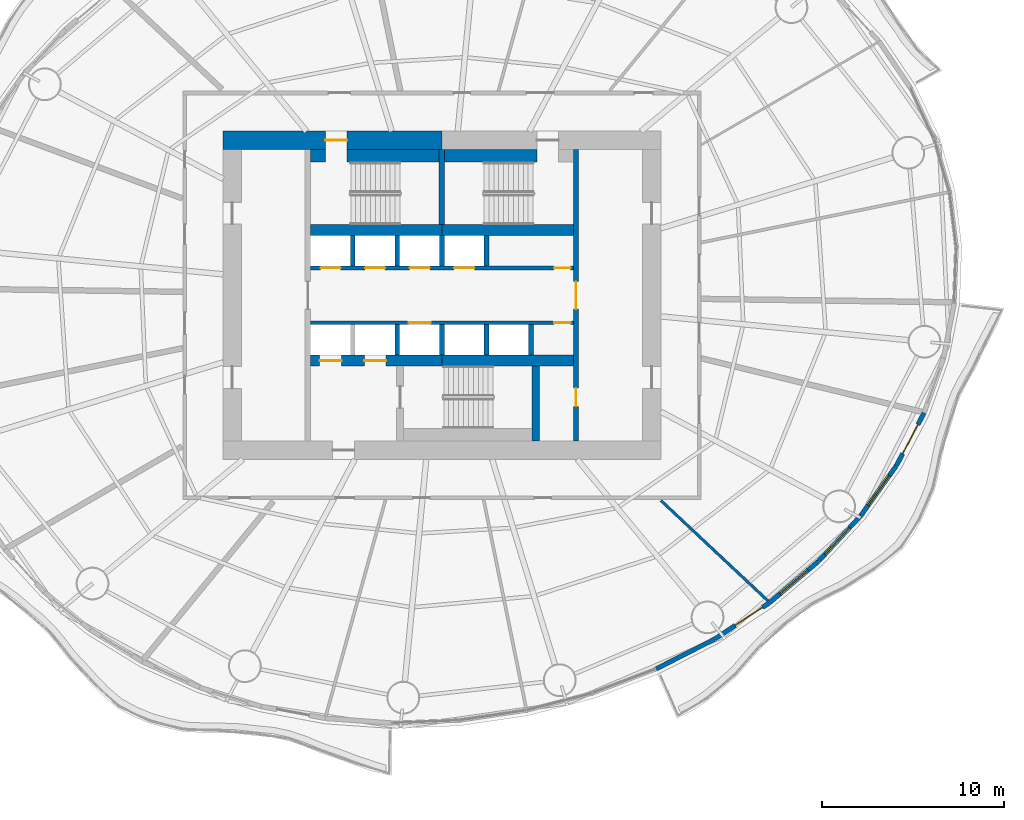
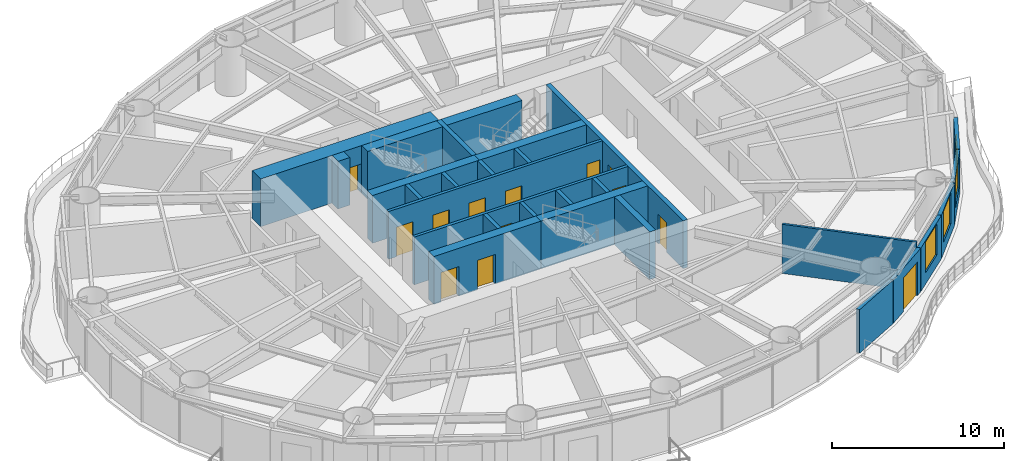
# One storey, part 9 of 16: 28 walls, 14 doors, 3 windows, 17 openings.
"""IFC4 building model written with IfcOpenShell, lengths in metres."""

from ifc_helpers import new_model, si_unit, direction, frame, frame_2d, origin, place, context, subcontext, project, spatial, rectangle, extrude, material, layer, layer_set, type_object, element, fill, save


model = new_model("IFC4")

# Units and contexts
model_context = context("Model", 3, precision=1e-05, world=origin(), true_north=direction((0.0, 1.0)))
body_context = subcontext(model_context, "Body", "Model", "MODEL_VIEW")
ifc_project = project(units=[si_unit("LENGTHUNIT", "METRE"), si_unit("AREAUNIT", "SQUARE_METRE"), si_unit("VOLUMEUNIT", "CUBIC_METRE"), si_unit("PLANEANGLEUNIT", "RADIAN"), si_unit("MASSUNIT", "GRAM", prefix="KILO")], contexts=[model_context])

# Site, building, storey
site_placement = place(None, origin())
site = spatial("IfcSite", under=ifc_project, at=site_placement, CompositionType="ELEMENT")
building_placement = place(site_placement, origin())
building = spatial("IfcBuilding", under=site, at=building_placement, Name="Vermilion Reach Broadcast Tower", CompositionType="ELEMENT")
storey_placement = place(building_placement, frame((0.0, 0.0, 80.39990234375)))
storey = spatial("IfcBuildingStorey", under=building, at=storey_placement, Name="L17", CompositionType="ELEMENT", Elevation=80.39990234375)

# Wall, openings, doors
ifc_material_1 = material(Name="Concrete C70", Category="concrete")
ifc_layer_1 = layer(ifc_material_1, 0.300048828125)
ifc_layer_set_1 = layer_set([ifc_layer_1], Name="Core inner wall 300 mm Concrete C70")
wall_type_1 = type_object("IfcWallType", Name="Core inner wall 300 mm Concrete C70", PredefinedType="SHEAR", material=ifc_layer_set_1)
wall_1_placement = place(storey_placement, frame((1.35009765625, -8.0, 0.0), z_axis=(0.0, 0.0, 1.0), x_axis=(0.0, 1.0, 0.0)))
wall_1 = element("IfcWall", 1, at=wall_1_placement, inside=storey, type_object=wall_type_1, Name="L17 core wall ewE", PredefinedType="SHEAR", context=body_context, shape_type="SweptSolid", body=[
    extrude(rectangle(XDim=16.0, YDim=0.300048828125, at=frame_2d((8.0, 0.0))), origin(), (0.0, 0.0, 1.0), 3.400146484375),
])
opening_1_placement = place(wall_1_placement, frame((1.909912109375, 0.0, 0.0)))
opening_1 = element("IfcOpeningElement", 2, at=opening_1_placement, cuts=wall_1, Name="Opening D05", PredefinedType="OPENING", context=body_context, shape_type="SweptSolid", body=[
    extrude(rectangle(XDim=1.0, YDim=2.10009765625, at=frame_2d((0.5, 1.050048828125))), frame((0.0, 0.159912109375, 0.0), z_axis=(0.0, -1.0, 0.0), x_axis=(1.0, 0.0, 0.0)), (0.0, 0.0, 1.0), 0.320068359375),
])
opening_2_placement = place(wall_1_placement, frame((7.25, 0.0, 0.0)))
opening_2 = element("IfcOpeningElement", 3, at=opening_2_placement, cuts=wall_1, Name="Opening D04", PredefinedType="OPENING", context=body_context, shape_type="SweptSolid", body=[
    extrude(rectangle(XDim=1.5, YDim=2.10009765625, at=frame_2d((0.75, 1.050048828125))), frame((0.0, 0.159912109375, 0.0), z_axis=(0.0, -1.0, 0.0), x_axis=(1.0, 0.0, 0.0)), (0.0, 0.0, 1.0), 0.320068359375),
])
ifc_material_2 = material(Name="Painted steel fire door", Category="steel")
door_type_1 = type_object("IfcDoorType", Name="Lift lobby door 1500 x 2100", OperationType="DOUBLE_DOOR_SINGLE_SWING", PredefinedType="NOTDEFINED", material=ifc_material_2)
door_1_placement = place(opening_2_placement, origin())
door_1 = element("IfcDoor", 4, at=door_1_placement, inside=storey, type_object=door_type_1, Name="L17 band door BE", OperationType="DOUBLE_DOOR_SINGLE_SWING", OverallHeight=2.10009765625, OverallWidth=1.5, PredefinedType="NOTDEFINED", context=body_context, shape_type="SweptSolid", body=[
    extrude(rectangle(XDim=1.5, YDim=2.10009765625, at=frame_2d((0.75, 1.050048828125))), frame((0.0, 0.02490234375, 0.0), z_axis=(0.0, -1.0, 0.0), x_axis=(1.0, 0.0, 0.0)), (0.0, 0.0, 1.0), 0.050048828125),
])
fill(opening_2, door_1)
ifc_material_3 = material(Name="Timber door", Category="wood")
door_type_2 = type_object("IfcDoorType", Name="Room door 1000 x 2100", OperationType="NOTDEFINED", PredefinedType="NOTDEFINED", material=ifc_material_3)
door_2_placement = place(opening_1_placement, origin())
door_2 = element("IfcDoor", 5, at=door_2_placement, inside=storey, type_object=door_type_2, Name="L17 door SER", OperationType="SINGLE_SWING_LEFT", OverallHeight=2.10009765625, OverallWidth=1.0, PredefinedType="NOTDEFINED", context=body_context, shape_type="SweptSolid", body=[
    extrude(rectangle(XDim=1.0, YDim=2.10009765625, at=frame_2d((0.5, 1.050048828125))), frame((0.0, 0.02490234375, 0.0), z_axis=(0.0, -1.0, 0.0), x_axis=(1.0, 0.0, 0.0)), (0.0, 0.0, 1.0), 0.050048828125),
])
fill(opening_1, door_2)

# Walls
wall_2_placement = place(storey_placement, frame((-6.0, 3.8798828125, 0.0), z_axis=(0.0, 0.0, 1.0), x_axis=(0.0, 1.0, 0.0)))
element("IfcWall", 6, at=wall_2_placement, inside=storey, type_object=wall_type_1, Name="L17 core wall wc", PredefinedType="SHEAR", context=body_context, shape_type="SweptSolid", body=[
    extrude(rectangle(XDim=4.1201171875, YDim=0.300048828125, at=frame_2d((2.06005859375, 0.0))), origin(), (0.0, 0.0, 1.0), 3.400146484375),
])
ifc_material_4 = material(Name="Concrete C70", Category="concrete")
ifc_layer_2 = layer(ifc_material_4, 0.39990234375)
ifc_layer_set_2 = layer_set([ifc_layer_2], Name="Core inner wall 400 mm Concrete C70")
wall_type_2 = type_object("IfcWallType", Name="Core inner wall 400 mm Concrete C70", PredefinedType="SHEAR", material=ifc_layer_set_2)
wall_3_placement = place(storey_placement, frame((-0.85009765625, -3.8798828125, 0.0), z_axis=(0.0, 0.0, 1.0), x_axis=(0.0, -1.0, 0.0)))
element("IfcWall", 7, at=wall_3_placement, inside=storey, type_object=wall_type_2, Name="L17 core wall wb", PredefinedType="SHEAR", context=body_context, shape_type="SweptSolid", body=[
    extrude(rectangle(XDim=4.1201171875, YDim=0.39990234375, at=frame_2d((2.06005859375, 0.0))), origin(), (0.0, 0.0, 1.0), 3.400146484375),
])
ifc_material_5 = material(Name="Concrete C70", Category="concrete")
ifc_layer_3 = layer(ifc_material_5, 0.60009765625)
ifc_layer_set_3 = layer_set([ifc_layer_3], Name="Core inner wall 600 mm Concrete C70")
wall_type_3 = type_object("IfcWallType", Name="Core inner wall 600 mm Concrete C70", PredefinedType="SHEAR", material=ifc_layer_set_3)
for number, where, z_axis, x_axis, name in (
    (8, (-13.199951171875, 3.580078125, 0.0), (0.0, 0.0, 1.0), (1.0, 0.0, 0.0), "L17 core wall winW"),
    (9, (-6.0, 3.580078125, 0.0), (0.0, 0.0, 1.0), (1.0, 0.0, 0.0), "L17 core wall winE"),
):
    element("IfcWall", number, at=place(storey_placement, frame(where, z_axis=z_axis, x_axis=x_axis)), inside=storey, type_object=wall_type_3, Name=name, PredefinedType="SHEAR", context=body_context, shape_type="SweptSolid", body=[
        extrude(rectangle(XDim=7.199951171875, YDim=0.60009765625, at=frame_2d((3.60009765625, 0.0))), origin(), (0.0, 0.0, 1.0), 3.400146484375),
    ])

# Wall, openings, doors
wall_4_placement = place(storey_placement, frame((-13.199951171875, -3.580078125, 0.0), z_axis=(0.0, 0.0, 1.0), x_axis=(1.0, 0.0, 0.0)))
wall_4 = element("IfcWall", 10, at=wall_4_placement, inside=storey, type_object=wall_type_3, Name="L17 core wall wisW", PredefinedType="SHEAR", context=body_context, shape_type="SweptSolid", body=[
    extrude(rectangle(XDim=7.199951171875, YDim=0.60009765625, at=frame_2d((3.60009765625, 0.0))), origin(), (0.0, 0.0, 1.0), 3.400146484375),
])
opening_3_placement = place(wall_4_placement, frame((0.495849609375, 0.0, 0.0)))
opening_3 = element("IfcOpeningElement", 11, at=opening_3_placement, cuts=wall_4, Name="Opening LD1", PredefinedType="OPENING", context=body_context, shape_type="SweptSolid", body=[
    extrude(rectangle(XDim=1.199951171875, YDim=2.10009765625, at=frame_2d((0.60009765625, 1.050048828125))), frame((0.0, 0.31005859375, 0.0), z_axis=(0.0, -1.0, 0.0), x_axis=(1.0, 0.0, 0.0)), (0.0, 0.0, 1.0), 0.6201171875),
])
opening_4_placement = place(wall_4_placement, frame((2.9375, 0.0, 0.0)))
opening_4 = element("IfcOpeningElement", 12, at=opening_4_placement, cuts=wall_4, Name="Opening LD1", PredefinedType="OPENING", context=body_context, shape_type="SweptSolid", body=[
    extrude(rectangle(XDim=1.199951171875, YDim=2.10009765625, at=frame_2d((0.60009765625, 1.050048828125))), frame((0.0, 0.31005859375, 0.0), z_axis=(0.0, -1.0, 0.0), x_axis=(1.0, 0.0, 0.0)), (0.0, 0.0, 1.0), 0.6201171875),
])
ifc_material_6 = material(Name="Stainless steel", Category="steel")
door_type_3 = type_object("IfcDoorType", Name="Landing door 1200 x 2100", OperationType="DOUBLE_DOOR_SLIDING", PredefinedType="NOTDEFINED", material=ifc_material_6)
door_3_placement = place(opening_3_placement, origin())
door_3 = element("IfcDoor", 13, at=door_3_placement, inside=storey, type_object=door_type_3, Name="L17 landing door FF1", OperationType="DOUBLE_DOOR_SLIDING", OverallHeight=2.10009765625, OverallWidth=1.199951171875, PredefinedType="NOTDEFINED", context=body_context, shape_type="SweptSolid", body=[
    extrude(rectangle(XDim=1.199951171875, YDim=2.10009765625, at=frame_2d((0.60009765625, 1.050048828125))), frame((0.0, 0.02490234375, 0.0), z_axis=(0.0, -1.0, 0.0), x_axis=(1.0, 0.0, 0.0)), (0.0, 0.0, 1.0), 0.050048828125),
])
fill(opening_3, door_3)
door_4_placement = place(opening_4_placement, origin())
door_4 = element("IfcDoor", 14, at=door_4_placement, inside=storey, type_object=door_type_3, Name="L17 landing door FF2", OperationType="DOUBLE_DOOR_SLIDING", OverallHeight=2.10009765625, OverallWidth=1.199951171875, PredefinedType="NOTDEFINED", context=body_context, shape_type="SweptSolid", body=[
    extrude(rectangle(XDim=1.199951171875, YDim=2.10009765625, at=frame_2d((0.60009765625, 1.050048828125))), frame((0.0, 0.02490234375, 0.0), z_axis=(0.0, -1.0, 0.0), x_axis=(1.0, 0.0, 0.0)), (0.0, 0.0, 1.0), 0.050048828125),
])
fill(opening_4, door_4)

# Wall
wall_5_placement = place(storey_placement, frame((-6.0, -3.580078125, 0.0), z_axis=(0.0, 0.0, 1.0), x_axis=(1.0, 0.0, 0.0)))
element("IfcWall", 15, at=wall_5_placement, inside=storey, type_object=wall_type_3, Name="L17 core wall wisE", PredefinedType="SHEAR", context=body_context, shape_type="SweptSolid", body=[
    extrude(rectangle(XDim=7.199951171875, YDim=0.60009765625, at=frame_2d((3.60009765625, 0.0))), origin(), (0.0, 0.0, 1.0), 3.400146484375),
])

# Wall, opening, door
ifc_material_7 = material(Name="Concrete C70", Category="concrete")
ifc_layer_4 = layer(ifc_material_7, 1.0)
ifc_layer_set_4 = layer_set([ifc_layer_4], Name="Core outer wall 1000 mm Concrete C70")
wall_type_4 = type_object("IfcWallType", Name="Core outer wall 1000 mm Concrete C70", PredefinedType="SHEAR", material=ifc_layer_set_4)
wall_6_placement = place(storey_placement, frame((-6.0, 8.5, 0.0), z_axis=(0.0, 0.0, 1.0), x_axis=(-1.0, 0.0, 0.0)))
wall_6 = element("IfcWall", 16, at=wall_6_placement, inside=storey, type_object=wall_type_4, Name="L17 core wall onW", PredefinedType="SHEAR", context=body_context, shape_type="SweptSolid", body=[
    extrude(rectangle(XDim=12.0, YDim=1.0, at=frame_2d((6.0, 0.0))), origin(), (0.0, 0.0, 1.0), 3.400146484375),
])
opening_5_placement = place(wall_6_placement, frame((5.199951171875, 0.0, 0.0)))
opening_5 = element("IfcOpeningElement", 17, at=opening_5_placement, cuts=wall_6, Name="Opening D01", PredefinedType="OPENING", context=body_context, shape_type="SweptSolid", body=[
    extrude(rectangle(XDim=1.199951171875, YDim=2.10009765625, at=frame_2d((0.60009765625, 1.050048828125))), frame((0.0, 0.510009765625, 0.0), z_axis=(0.0, -1.0, 0.0), x_axis=(1.0, 0.0, 0.0)), (0.0, 0.0, 1.0), 1.02001953125),
])
ifc_material_8 = material(Name="Painted steel fire door", Category="steel")
door_type_4 = type_object("IfcDoorType", Name="Stair door 1200 x 2100", OperationType="DOUBLE_DOOR_SINGLE_SWING", PredefinedType="NOTDEFINED", material=ifc_material_8)
door_5_placement = place(opening_5_placement, origin())
door_5 = element("IfcDoor", 18, at=door_5_placement, inside=storey, type_object=door_type_4, Name="L17 stair door ST1", OperationType="DOUBLE_DOOR_SINGLE_SWING", OverallHeight=2.10009765625, OverallWidth=1.199951171875, PredefinedType="NOTDEFINED", context=body_context, shape_type="SweptSolid", body=[
    extrude(rectangle(XDim=1.199951171875, YDim=2.10009765625, at=frame_2d((0.60009765625, 1.050048828125))), frame((0.0, 0.02490234375, 0.0), z_axis=(0.0, -1.0, 0.0), x_axis=(1.0, 0.0, 0.0)), (0.0, 0.0, 1.0), 0.050048828125),
])
fill(opening_5, door_5)

# Wall, openings, doors
ifc_material_9 = material(Name="Concrete C50", Category="concrete")
ifc_layer_5 = layer(ifc_material_9, 0.199951171875)
ifc_layer_set_5 = layer_set([ifc_layer_5], Name="Core shaft wall 200 mm Concrete C50")
wall_type_5 = type_object("IfcWallType", Name="Core shaft wall 200 mm Concrete C50", PredefinedType="SHEAR", material=ifc_layer_set_5)
wall_7_placement = place(storey_placement, frame((-13.199951171875, 1.5, 0.0), z_axis=(0.0, 0.0, 1.0), x_axis=(1.0, 0.0, 0.0)))
wall_7 = element("IfcWall", 19, at=wall_7_placement, inside=storey, type_object=wall_type_5, Name="L17 core wall fn", PredefinedType="SHEAR", context=body_context, shape_type="SweptSolid", body=[
    extrude(rectangle(XDim=14.39990234375, YDim=0.199951171875, at=frame_2d((7.199951171875, 0.0))), origin(), (0.0, 0.0, 1.0), 3.400146484375),
])
opening_6_placement = place(wall_7_placement, frame((0.5458984375, 0.0, 0.0)))
opening_6 = element("IfcOpeningElement", 20, at=opening_6_placement, cuts=wall_7, Name="Opening LD2", PredefinedType="OPENING", context=body_context, shape_type="SweptSolid", body=[
    extrude(rectangle(XDim=1.10009765625, YDim=2.10009765625, at=frame_2d((0.550048828125, 1.050048828125))), frame((0.0, 0.10986328125, 0.0), z_axis=(0.0, -1.0, 0.0), x_axis=(1.0, 0.0, 0.0)), (0.0, 0.0, 1.0), 0.219970703125),
])
opening_7_placement = place(wall_7_placement, frame((2.987548828125, 0.0, 0.0)))
opening_7 = element("IfcOpeningElement", 21, at=opening_7_placement, cuts=wall_7, Name="Opening LD2", PredefinedType="OPENING", context=body_context, shape_type="SweptSolid", body=[
    extrude(rectangle(XDim=1.10009765625, YDim=2.10009765625, at=frame_2d((0.550048828125, 1.050048828125))), frame((0.0, 0.10986328125, 0.0), z_axis=(0.0, -1.0, 0.0), x_axis=(1.0, 0.0, 0.0)), (0.0, 0.0, 1.0), 0.219970703125),
])
opening_8_placement = place(wall_7_placement, frame((5.42919921875, 0.0, 0.0)))
opening_8 = element("IfcOpeningElement", 22, at=opening_8_placement, cuts=wall_7, Name="Opening LD2", PredefinedType="OPENING", context=body_context, shape_type="SweptSolid", body=[
    extrude(rectangle(XDim=1.10009765625, YDim=2.10009765625, at=frame_2d((0.550048828125, 1.050048828125))), frame((0.0, 0.10986328125, 0.0), z_axis=(0.0, -1.0, 0.0), x_axis=(1.0, 0.0, 0.0)), (0.0, 0.0, 1.0), 0.219970703125),
])
opening_9_placement = place(wall_7_placement, frame((7.870849609375, 0.0, 0.0)))
opening_9 = element("IfcOpeningElement", 23, at=opening_9_placement, cuts=wall_7, Name="Opening LD2", PredefinedType="OPENING", context=body_context, shape_type="SweptSolid", body=[
    extrude(rectangle(XDim=1.10009765625, YDim=2.10009765625, at=frame_2d((0.550048828125, 1.050048828125))), frame((0.0, 0.10986328125, 0.0), z_axis=(0.0, -1.0, 0.0), x_axis=(1.0, 0.0, 0.0)), (0.0, 0.0, 1.0), 0.219970703125),
])
opening_10_placement = place(wall_7_placement, frame((13.35009765625, 0.0, 0.0)))
opening_10 = element("IfcOpeningElement", 24, at=opening_10_placement, cuts=wall_7, Name="Opening D06", PredefinedType="OPENING", context=body_context, shape_type="SweptSolid", body=[
    extrude(rectangle(XDim=0.89990234375, YDim=2.10009765625, at=frame_2d((0.449951171875, 1.050048828125))), frame((0.0, 0.10986328125, 0.0), z_axis=(0.0, -1.0, 0.0), x_axis=(1.0, 0.0, 0.0)), (0.0, 0.0, 1.0), 0.219970703125),
])
ifc_material_10 = material(Name="Stainless steel", Category="steel")
door_type_5 = type_object("IfcDoorType", Name="Landing door 1100 x 2100", OperationType="DOUBLE_DOOR_SLIDING", PredefinedType="NOTDEFINED", material=ifc_material_10)
door_6_placement = place(opening_6_placement, origin())
door_6 = element("IfcDoor", 25, at=door_6_placement, inside=storey, type_object=door_type_5, Name="L17 landing door LR1", OperationType="DOUBLE_DOOR_SLIDING", OverallHeight=2.10009765625, OverallWidth=1.10009765625, PredefinedType="NOTDEFINED", context=body_context, shape_type="SweptSolid", body=[
    extrude(rectangle(XDim=1.10009765625, YDim=2.10009765625, at=frame_2d((0.550048828125, 1.050048828125))), frame((0.0, 0.02490234375, 0.0), z_axis=(0.0, -1.0, 0.0), x_axis=(1.0, 0.0, 0.0)), (0.0, 0.0, 1.0), 0.050048828125),
])
fill(opening_6, door_6)
door_7_placement = place(opening_7_placement, origin())
door_7 = element("IfcDoor", 26, at=door_7_placement, inside=storey, type_object=door_type_5, Name="L17 landing door LR2", OperationType="DOUBLE_DOOR_SLIDING", OverallHeight=2.10009765625, OverallWidth=1.10009765625, PredefinedType="NOTDEFINED", context=body_context, shape_type="SweptSolid", body=[
    extrude(rectangle(XDim=1.10009765625, YDim=2.10009765625, at=frame_2d((0.550048828125, 1.050048828125))), frame((0.0, 0.02490234375, 0.0), z_axis=(0.0, -1.0, 0.0), x_axis=(1.0, 0.0, 0.0)), (0.0, 0.0, 1.0), 0.050048828125),
])
fill(opening_7, door_7)
door_8_placement = place(opening_8_placement, origin())
door_8 = element("IfcDoor", 27, at=door_8_placement, inside=storey, type_object=door_type_5, Name="L17 landing door LR3", OperationType="DOUBLE_DOOR_SLIDING", OverallHeight=2.10009765625, OverallWidth=1.10009765625, PredefinedType="NOTDEFINED", context=body_context, shape_type="SweptSolid", body=[
    extrude(rectangle(XDim=1.10009765625, YDim=2.10009765625, at=frame_2d((0.550048828125, 1.050048828125))), frame((0.0, 0.02490234375, 0.0), z_axis=(0.0, -1.0, 0.0), x_axis=(1.0, 0.0, 0.0)), (0.0, 0.0, 1.0), 0.050048828125),
])
fill(opening_8, door_8)
door_9_placement = place(opening_9_placement, origin())
door_9 = element("IfcDoor", 28, at=door_9_placement, inside=storey, type_object=door_type_5, Name="L17 landing door LR4", OperationType="DOUBLE_DOOR_SLIDING", OverallHeight=2.10009765625, OverallWidth=1.10009765625, PredefinedType="NOTDEFINED", context=body_context, shape_type="SweptSolid", body=[
    extrude(rectangle(XDim=1.10009765625, YDim=2.10009765625, at=frame_2d((0.550048828125, 1.050048828125))), frame((0.0, 0.02490234375, 0.0), z_axis=(0.0, -1.0, 0.0), x_axis=(1.0, 0.0, 0.0)), (0.0, 0.0, 1.0), 0.050048828125),
])
fill(opening_9, door_9)
ifc_material_11 = material(Name="Timber door", Category="wood")
door_type_6 = type_object("IfcDoorType", Name="WC door 900 x 2100", OperationType="NOTDEFINED", PredefinedType="NOTDEFINED", material=ifc_material_11)
door_10_placement = place(opening_10_placement, origin())
door_10 = element("IfcDoor", 29, at=door_10_placement, inside=storey, type_object=door_type_6, Name="L17 door Female WC", OperationType="SINGLE_SWING_RIGHT", OverallHeight=2.10009765625, OverallWidth=0.89990234375, PredefinedType="NOTDEFINED", context=body_context, shape_type="SweptSolid", body=[
    extrude(rectangle(XDim=0.89990234375, YDim=2.10009765625, at=frame_2d((0.449951171875, 1.050048828125))), frame((0.0, 0.02490234375, 0.0), z_axis=(0.0, -1.0, 0.0), x_axis=(1.0, 0.0, 0.0)), (0.0, 0.0, 1.0), 0.050048828125),
])
fill(opening_10, door_10)

wall_8_placement = place(storey_placement, frame((1.199951171875, -1.5, 0.0), z_axis=(0.0, 0.0, 1.0), x_axis=(-1.0, 0.0, 0.0)))
wall_8 = element("IfcWall", 30, at=wall_8_placement, inside=storey, type_object=wall_type_5, Name="L17 core wall fs", PredefinedType="SHEAR", context=body_context, shape_type="SweptSolid", body=[
    extrude(rectangle(XDim=14.39990234375, YDim=0.199951171875, at=frame_2d((7.199951171875, 0.0))), origin(), (0.0, 0.0, 1.0), 3.400146484375),
])
opening_11_placement = place(wall_8_placement, frame((7.82080078125, 0.0, 0.0)))
opening_11 = element("IfcOpeningElement", 31, at=opening_11_placement, cuts=wall_8, Name="Opening LD1", PredefinedType="OPENING", context=body_context, shape_type="SweptSolid", body=[
    extrude(rectangle(XDim=1.199951171875, YDim=2.10009765625, at=frame_2d((0.60009765625, 1.050048828125))), frame((0.0, 0.10986328125, 0.0), z_axis=(0.0, -1.0, 0.0), x_axis=(1.0, 0.0, 0.0)), (0.0, 0.0, 1.0), 0.219970703125),
])
opening_12_placement = place(wall_8_placement, frame((0.14990234375, 0.0, 0.0)))
opening_12 = element("IfcOpeningElement", 32, at=opening_12_placement, cuts=wall_8, Name="Opening D06", PredefinedType="OPENING", context=body_context, shape_type="SweptSolid", body=[
    extrude(rectangle(XDim=0.89990234375, YDim=2.10009765625, at=frame_2d((0.449951171875, 1.050048828125))), frame((0.0, 0.10986328125, 0.0), z_axis=(0.0, -1.0, 0.0), x_axis=(1.0, 0.0, 0.0)), (0.0, 0.0, 1.0), 0.219970703125),
])
door_11_placement = place(opening_11_placement, origin())
door_11 = element("IfcDoor", 33, at=door_11_placement, inside=storey, type_object=door_type_3, Name="L17 landing door SV1", OperationType="DOUBLE_DOOR_SLIDING", OverallHeight=2.10009765625, OverallWidth=1.199951171875, PredefinedType="NOTDEFINED", context=body_context, shape_type="SweptSolid", body=[
    extrude(rectangle(XDim=1.199951171875, YDim=2.10009765625, at=frame_2d((0.60009765625, 1.050048828125))), frame((0.0, 0.02490234375, 0.0), z_axis=(0.0, -1.0, 0.0), x_axis=(1.0, 0.0, 0.0)), (0.0, 0.0, 1.0), 0.050048828125),
])
fill(opening_11, door_11)
door_12_placement = place(opening_12_placement, origin())
door_12 = element("IfcDoor", 34, at=door_12_placement, inside=storey, type_object=door_type_6, Name="L17 door Male WC", OperationType="SINGLE_SWING_LEFT", OverallHeight=2.10009765625, OverallWidth=0.89990234375, PredefinedType="NOTDEFINED", context=body_context, shape_type="SweptSolid", body=[
    extrude(rectangle(XDim=0.89990234375, YDim=2.10009765625, at=frame_2d((0.449951171875, 1.050048828125))), frame((0.0, 0.02490234375, 0.0), z_axis=(0.0, -1.0, 0.0), x_axis=(1.0, 0.0, 0.0)), (0.0, 0.0, 1.0), 0.050048828125),
])
fill(opening_12, door_12)

# Walls
ifc_material_12 = material(Name="Concrete C50", Category="concrete")
ifc_layer_6 = layer(ifc_material_12, 0.25)
ifc_layer_set_6 = layer_set([ifc_layer_6], Name="Core shaft wall 250 mm Concrete C50")
wall_type_6 = type_object("IfcWallType", Name="Core shaft wall 250 mm Concrete C50", PredefinedType="SHEAR", material=ifc_layer_set_6)
for number, where, z_axis, x_axis, name in (
    (35, (-10.88330078125, 1.60009765625, 0.0), (0.0, 0.0, 1.0), (0.0, 1.0, 0.0), "L17 core wall psN0"),
    (36, (-8.441650390625, 1.60009765625, 0.0), (0.0, 0.0, 1.0), (0.0, 1.0, 0.0), "L17 core wall psN1"),
    (37, (-6.0, 1.60009765625, 0.0), (0.0, 0.0, 1.0), (0.0, 1.0, 0.0), "L17 core wall psN2"),
    (38, (-3.558349609375, 1.60009765625, 0.0), (0.0, 0.0, 1.0), (0.0, 1.0, 0.0), "L17 core wall psN3"),
    (39, (-8.441650390625, -1.60009765625, 0.0), (0.0, 0.0, 1.0), (0.0, -1.0, 0.0), "L17 core wall psS1"),
    (40, (-6.0, -1.60009765625, 0.0), (0.0, 0.0, 1.0), (0.0, -1.0, 0.0), "L17 core wall psS2"),
    (41, (-3.558349609375, -1.60009765625, 0.0), (0.0, 0.0, 1.0), (0.0, -1.0, 0.0), "L17 core wall psS3"),
    (42, (-1.11669921875, -1.60009765625, 0.0), (0.0, 0.0, 1.0), (0.0, -1.0, 0.0), "L17 core wall psS4"),
):
    element("IfcWall", number, at=place(storey_placement, frame(where, z_axis=z_axis, x_axis=x_axis)), inside=storey, type_object=wall_type_6, Name=name, PredefinedType="SHEAR", context=body_context, shape_type="SweptSolid", body=[
        extrude(rectangle(XDim=1.679931640625, YDim=0.25, at=frame_2d((0.83984375, 0.0))), origin(), (0.0, 0.0, 1.0), 3.400146484375),
    ])
ifc_material_13 = material(Name="Concrete C70", Category="concrete")
ifc_layer_7 = layer(ifc_material_13, 0.699951171875)
ifc_layer_set_7 = layer_set([ifc_layer_7], Name="Core stair wall 700 mm Concrete C70")
wall_type_7 = type_object("IfcWallType", Name="Core stair wall 700 mm Concrete C70", PredefinedType="SHEAR", material=ifc_layer_set_7)
wall_9_placement = place(storey_placement, frame((-13.199951171875, 7.64990234375, 0.0), z_axis=(0.0, 0.0, 1.0), x_axis=(1.0, 0.0, 0.0)))
element("IfcWall", 43, at=wall_9_placement, inside=storey, type_object=wall_type_7, Name="L17 core wall l1a", PredefinedType="SHEAR", context=body_context, shape_type="SweptSolid", body=[
    extrude(rectangle(XDim=0.800048828125, YDim=0.699951171875, at=frame_2d((0.39990234375, 0.0))), origin(), (0.0, 0.0, 1.0), 3.400146484375),
])
for number, where, z_axis, x_axis, name in (
    (44, (-11.199951171875, 7.64990234375, 0.0), (0.0, 0.0, 1.0), (1.0, 0.0, 0.0), "L17 core wall l1b"),
    (45, (-5.85009765625, 7.64990234375, 0.0), (0.0, 0.0, 1.0), (1.0, 0.0, 0.0), "L17 core wall l2a"),
):
    element("IfcWall", number, at=place(storey_placement, frame(where, z_axis=z_axis, x_axis=x_axis)), inside=storey, type_object=wall_type_7, Name=name, PredefinedType="SHEAR", context=body_context, shape_type="SweptSolid", body=[
        extrude(rectangle(XDim=5.050048828125, YDim=0.699951171875, at=frame_2d((2.52490234375, 0.0))), origin(), (0.0, 0.0, 1.0), 3.400146484375),
    ])
ifc_material_14 = material(Name="Lightweight concrete block, plastered", Category="concrete")
ifc_layer_8 = layer(ifc_material_14, 0.14990234375)
ifc_layer_set_8 = layer_set([ifc_layer_8], Name="Partition 150 lightweight block")
wall_type_8 = type_object("IfcWallType", Name="Partition 150 lightweight block", PredefinedType="PARTITIONING", material=ifc_layer_set_8)
wall_10_placement = place(storey_placement, frame((11.884033203125, -16.7607421875, 0.0), z_axis=(0.0, 0.0, 1.0), x_axis=(-0.729643098054, 0.683828157846, 0.0)))
element("IfcWall", 46, at=wall_10_placement, inside=storey, type_object=wall_type_8, Name="Partition 17.14", PredefinedType="PARTITIONING", context=body_context, shape_type="SweptSolid", body=[
    extrude(rectangle(XDim=8.052001953125, YDim=0.14990234375, at=frame_2d((4.02587890625, 0.0))), origin(), (0.0, 0.0, 1.0), 3.5),
])
ifc_material_15 = material(Name="Terracotta rainscreen cladding", Category="masonry")
ifc_layer_9 = layer(ifc_material_15, 0.25)
ifc_layer_set_9 = layer_set([ifc_layer_9], Name="Terracotta rainscreen wall 250")
wall_type_9 = type_object("IfcWallType", Name="Terracotta rainscreen wall 250", PredefinedType="SOLIDWALL", material=ifc_layer_set_9)
wall_11_placement = place(storey_placement, frame((5.74951171875, -20.48828125, 0.0), z_axis=(0.0, 0.0, 1.0), x_axis=(0.890478739506, 0.455024850407, 0.0)))
element("IfcWall", 47, at=wall_11_placement, inside=storey, type_object=wall_type_9, Name="External wall L17 38", PredefinedType="SOLIDWALL", context=body_context, shape_type="SweptSolid", body=[
    extrude(rectangle(XDim=3.5927734375, YDim=0.25, at=frame_2d((1.79638671875, 0.0))), origin(), (0.0, 0.0, 1.0), 3.10009765625),
])

# Wall, opening, door
wall_12_placement = place(storey_placement, frame((8.9677734375, -18.842529296875, 0.0), z_axis=(0.0, 0.0, 1.0), x_axis=(0.833653527953, 0.552287783073, 0.0)))
wall_12 = element("IfcWall", 48, at=wall_12_placement, inside=storey, type_object=wall_type_9, Name="External wall L17 39", PredefinedType="SOLIDWALL", context=body_context, shape_type="SweptSolid", body=[
    extrude(rectangle(XDim=3.57666015625, YDim=0.25, at=frame_2d((1.788330078125, 0.0))), origin(), (0.0, 0.0, 1.0), 3.10009765625),
])
opening_13_placement = place(wall_12_placement, frame((1.337890625, 0.0, 0.0)))
opening_13 = element("IfcOpeningElement", 49, at=opening_13_placement, cuts=wall_12, Name="Opening D70", PredefinedType="OPENING", context=body_context, shape_type="SweptSolid", body=[
    extrude(rectangle(XDim=1.800048828125, YDim=2.39990234375, at=frame_2d((0.89990234375, 1.199951171875))), frame((0.0, 0.135009765625, 0.0), z_axis=(0.0, -1.0, 0.0), x_axis=(1.0, 0.0, 0.0)), (0.0, 0.0, 1.0), 0.27001953125),
])
ifc_material_16 = material(Name="Low-e laminated clear glass in aluminium frame", Category="aluminium")
door_type_7 = type_object("IfcDoorType", Name="Balcony sliding door 1800 x 2400", OperationType="DOUBLE_DOOR_SLIDING", PredefinedType="DOOR", material=ifc_material_16)
door_13_placement = place(opening_13_placement, origin())
door_13 = element("IfcDoor", 50, at=door_13_placement, inside=storey, type_object=door_type_7, Name="Balcony door L17 run 10", OperationType="DOUBLE_DOOR_SLIDING", OverallHeight=2.39990234375, OverallWidth=1.800048828125, PredefinedType="DOOR", context=body_context, shape_type="SweptSolid", body=[
    extrude(rectangle(XDim=1.800048828125, YDim=2.39990234375, at=frame_2d((0.89990234375, 1.199951171875))), frame((0.0, 0.02490234375, 0.0), z_axis=(0.0, -1.0, 0.0), x_axis=(1.0, 0.0, 0.0)), (0.0, 0.0, 1.0), 0.050048828125),
])
fill(opening_13, door_13)

# Wall, opening, window
wall_13_placement = place(storey_placement, frame((11.9677734375, -16.853515625, 0.0), z_axis=(0.0, 0.0, 1.0), x_axis=(0.76352642001, 0.645776591358, 0.0)))
wall_13 = element("IfcWall", 51, at=wall_13_placement, inside=storey, type_object=wall_type_9, Name="External wall L17 40", PredefinedType="SOLIDWALL", context=body_context, shape_type="SweptSolid", body=[
    extrude(rectangle(XDim=3.501953125, YDim=0.25, at=frame_2d((1.7509765625, 0.0))), origin(), (0.0, 0.0, 1.0), 3.10009765625),
])
opening_14_placement = place(wall_13_placement, frame((0.7509765625, 0.0, 0.800048828125)))
opening_14 = element("IfcOpeningElement", 52, at=opening_14_placement, cuts=wall_13, Name="Opening W01", PredefinedType="OPENING", context=body_context, shape_type="SweptSolid", body=[
    extrude(rectangle(XDim=2.0, YDim=2.199951171875, at=frame_2d((1.0, 1.10009765625))), frame((0.0, 0.135009765625, 0.0), z_axis=(0.0, -1.0, 0.0), x_axis=(1.0, 0.0, 0.0)), (0.0, 0.0, 1.0), 0.27001953125),
])
ifc_material_17 = material(Name="Low-e laminated clear glass in aluminium frame", Category="aluminium")
window_type = type_object("IfcWindowType", Name="Punched window 2000 x 2200 sill 800", PartitioningType="SINGLE_PANEL", PredefinedType="WINDOW", material=ifc_material_17)
window_1_placement = place(opening_14_placement, origin())
window_1 = element("IfcWindow", 53, at=window_1_placement, inside=storey, type_object=window_type, Name="Window L17 40", OverallHeight=2.199951171875, OverallWidth=2.0, PartitioningType="SINGLE_PANEL", PredefinedType="WINDOW", context=body_context, shape_type="SweptSolid", body=[
    extrude(rectangle(XDim=2.0, YDim=2.199951171875, at=frame_2d((1.0, 1.10009765625))), frame((0.0, 0.030029296875, 0.0), z_axis=(0.0, -1.0, 0.0), x_axis=(1.0, 0.0, 0.0)), (0.0, 0.0, 1.0), 0.06005859375),
])
fill(opening_14, window_1)

wall_14_placement = place(storey_placement, frame((14.658447265625, -14.575927734375, 0.0), z_axis=(0.0, 0.0, 1.0), x_axis=(0.679170019498, 0.733980983824, 0.0)))
wall_14 = element("IfcWall", 54, at=wall_14_placement, inside=storey, type_object=wall_type_9, Name="External wall L17 41", PredefinedType="SOLIDWALL", context=body_context, shape_type="SweptSolid", body=[
    extrude(rectangle(XDim=3.41650390625, YDim=0.25, at=frame_2d((1.708251953125, 0.0))), origin(), (0.0, 0.0, 1.0), 3.10009765625),
])
opening_15_placement = place(wall_14_placement, frame((0.508056640625, 0.0, 0.800048828125)))
opening_15 = element("IfcOpeningElement", 55, at=opening_15_placement, cuts=wall_14, Name="Opening W01", PredefinedType="OPENING", context=body_context, shape_type="SweptSolid", body=[
    extrude(rectangle(XDim=2.0, YDim=2.199951171875, at=frame_2d((1.0, 1.10009765625))), frame((0.0, 0.135009765625, 0.0), z_axis=(0.0, -1.0, 0.0), x_axis=(1.0, 0.0, 0.0)), (0.0, 0.0, 1.0), 0.27001953125),
])
window_2_placement = place(opening_15_placement, origin())
window_2 = element("IfcWindow", 56, at=window_2_placement, inside=storey, type_object=window_type, Name="Window L17 41", OverallHeight=2.199951171875, OverallWidth=2.0, PartitioningType="SINGLE_PANEL", PredefinedType="WINDOW", context=body_context, shape_type="SweptSolid", body=[
    extrude(rectangle(XDim=2.0, YDim=2.199951171875, at=frame_2d((1.0, 1.10009765625))), frame((0.0, 0.030029296875, 0.0), z_axis=(0.0, -1.0, 0.0), x_axis=(1.0, 0.0, 0.0)), (0.0, 0.0, 1.0), 0.06005859375),
])
fill(opening_15, window_2)

wall_15_placement = place(storey_placement, frame((16.993896484375, -12.0498046875, 0.0), z_axis=(0.0, 0.0, 1.0), x_axis=(0.579570373791, 0.814922193724, 0.0)))
wall_15 = element("IfcWall", 57, at=wall_15_placement, inside=storey, type_object=wall_type_9, Name="External wall L17 42", PredefinedType="SOLIDWALL", context=body_context, shape_type="SweptSolid", body=[
    extrude(rectangle(XDim=3.32568359375, YDim=0.25, at=frame_2d((1.662841796875, 0.0))), origin(), (0.0, 0.0, 1.0), 3.10009765625),
])
opening_16_placement = place(wall_15_placement, frame((0.662841796875, 0.0, 0.800048828125)))
opening_16 = element("IfcOpeningElement", 58, at=opening_16_placement, cuts=wall_15, Name="Opening W01", PredefinedType="OPENING", context=body_context, shape_type="SweptSolid", body=[
    extrude(rectangle(XDim=2.0, YDim=2.199951171875, at=frame_2d((1.0, 1.10009765625))), frame((0.0, 0.135009765625, 0.0), z_axis=(0.0, -1.0, 0.0), x_axis=(1.0, 0.0, 0.0)), (0.0, 0.0, 1.0), 0.27001953125),
])
window_3_placement = place(opening_16_placement, origin())
window_3 = element("IfcWindow", 59, at=window_3_placement, inside=storey, type_object=window_type, Name="Window L17 42", OverallHeight=2.199951171875, OverallWidth=2.0, PartitioningType="SINGLE_PANEL", PredefinedType="WINDOW", context=body_context, shape_type="SweptSolid", body=[
    extrude(rectangle(XDim=2.0, YDim=2.199951171875, at=frame_2d((1.0, 1.10009765625))), frame((0.0, 0.030029296875, 0.0), z_axis=(0.0, -1.0, 0.0), x_axis=(1.0, 0.0, 0.0)), (0.0, 0.0, 1.0), 0.06005859375),
])
fill(opening_16, window_3)

# Wall, opening, door
wall_16_placement = place(storey_placement, frame((18.9345703125, -9.318359375, 0.0), z_axis=(0.0, 0.0, 1.0), x_axis=(0.464455263318, 0.885596583314, 0.0)))
wall_16 = element("IfcWall", 60, at=wall_16_placement, inside=storey, type_object=wall_type_9, Name="External wall L17 43", PredefinedType="SOLIDWALL", context=body_context, shape_type="SweptSolid", body=[
    extrude(rectangle(XDim=3.2353515625, YDim=0.25, at=frame_2d((1.61767578125, 0.0))), origin(), (0.0, 0.0, 1.0), 3.10009765625),
])
opening_17_placement = place(wall_16_placement, frame((0.718017578125, 0.0, 0.0)))
opening_17 = element("IfcOpeningElement", 61, at=opening_17_placement, cuts=wall_16, Name="Opening D70", PredefinedType="OPENING", context=body_context, shape_type="SweptSolid", body=[
    extrude(rectangle(XDim=1.800048828125, YDim=2.39990234375, at=frame_2d((0.89990234375, 1.199951171875))), frame((0.0, 0.135009765625, 0.0), z_axis=(0.0, -1.0, 0.0), x_axis=(1.0, 0.0, 0.0)), (0.0, 0.0, 1.0), 0.27001953125),
])
door_14_placement = place(opening_17_placement, origin())
door_14 = element("IfcDoor", 62, at=door_14_placement, inside=storey, type_object=door_type_7, Name="Balcony door L17 run 11", OperationType="DOUBLE_DOOR_SLIDING", OverallHeight=2.39990234375, OverallWidth=1.800048828125, PredefinedType="DOOR", context=body_context, shape_type="SweptSolid", body=[
    extrude(rectangle(XDim=1.800048828125, YDim=2.39990234375, at=frame_2d((0.89990234375, 1.199951171875))), frame((0.0, 0.02490234375, 0.0), z_axis=(0.0, -1.0, 0.0), x_axis=(1.0, 0.0, 0.0)), (0.0, 0.0, 1.0), 0.050048828125),
])
fill(opening_17, door_14)

save(model, "model.ifc")
